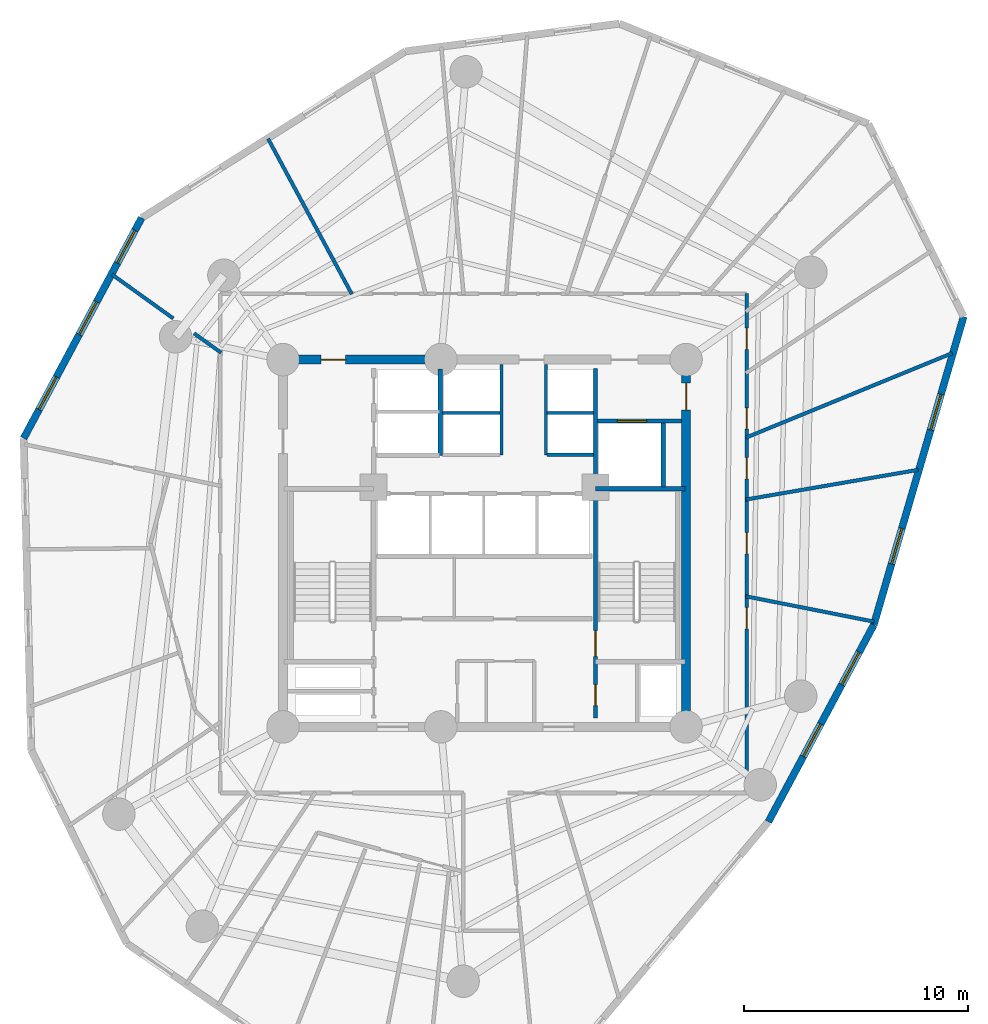
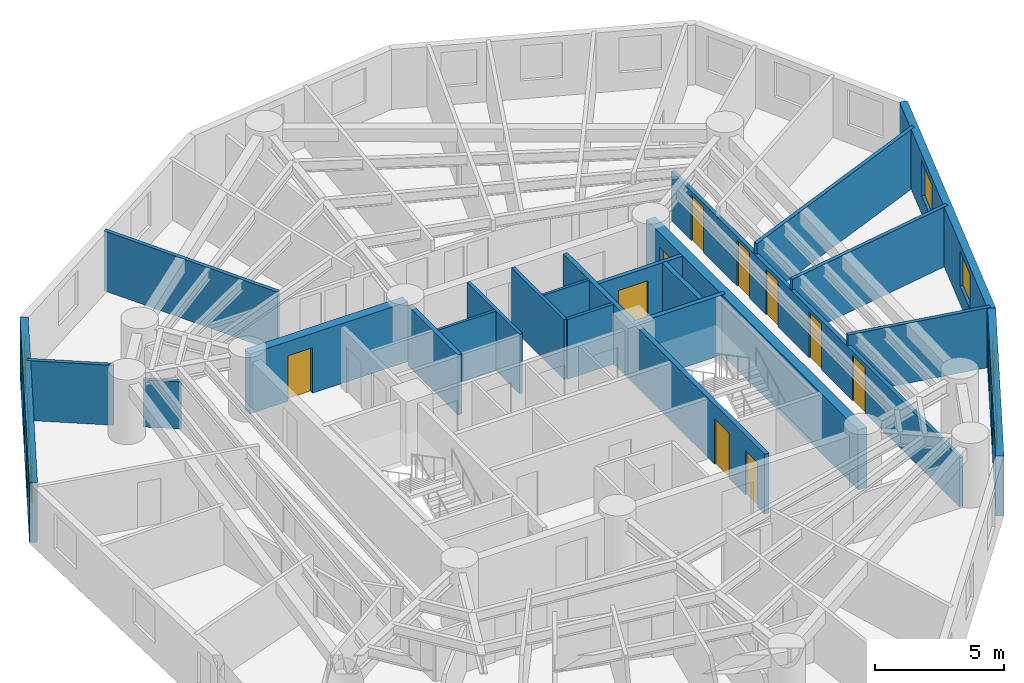
# One storey, part 5 of 8: 22 walls, 10 doors, 7 windows, 17 openings.
"""IFC4 building model written with IfcOpenShell, lengths in metres."""

from ifc_helpers import new_model, si_unit, direction, frame, frame_2d, origin, origin_with_axes, place, context, subcontext, project, spatial, rectangle, extrude, source, transform, mapped, material, layer, layer_set, type_object, element, fill, save


model = new_model("IFC4")

# Units and contexts
model_context = context("Model", 3, precision=1e-05, world=origin(), true_north=direction((0.0, 1.0)))
body_context = subcontext(model_context, "Body", "Model", "MODEL_VIEW")
ifc_project = project(units=[si_unit("LENGTHUNIT", "METRE"), si_unit("AREAUNIT", "SQUARE_METRE"), si_unit("VOLUMEUNIT", "CUBIC_METRE"), si_unit("PLANEANGLEUNIT", "RADIAN"), si_unit("MASSUNIT", "GRAM", prefix="KILO")], contexts=[model_context])

# Site, building, storey
site_placement = place(None, origin())
site = spatial("IfcSite", under=ifc_project, at=site_placement, CompositionType="ELEMENT")
building_placement = place(site_placement, origin())
building = spatial("IfcBuilding", under=site, at=building_placement, Name="Karkom Vertical University and Central Library", CompositionType="ELEMENT")
storey_placement = place(building_placement, frame((0.0, 0.0, 117.550048828125)))
storey = spatial("IfcBuildingStorey", under=building, at=storey_placement, Name="L32", CompositionType="ELEMENT", Elevation=117.550048828125)

# Wall, openings, windows
ifc_material_1 = material(Name="Brick-faced precast concrete C45/55", Category="masonry")
ifc_layer_1 = layer(ifc_material_1, 0.320068359375)
ifc_layer_set_1 = layer_set([ifc_layer_1], Name="Brick-faced precast concrete C45/55")
wall_type_1 = type_object("IfcWallType", Name="ENV-WL-BRK-320", PredefinedType="SOLIDWALL", material=ifc_layer_set_1)
wall_1_placement = place(storey_placement, frame((13.1875, 41.02978515625, 0.0), z_axis=(0.0, 0.0, 1.0), x_axis=(-0.471928958931, -0.881636579165, 0.0)))
wall_1 = element("IfcWall", 1, at=wall_1_placement, inside=storey, type_object=wall_type_1, Name="Level 32 Brick-Faced Precast Facade Wall 01", PredefinedType="SOLIDWALL", context=body_context, shape_type="SweptSolid", body=[
    extrude(rectangle(XDim=11.1669921875, YDim=0.320068359375, at=frame_2d((5.58349609375, 0.0))), origin(), (0.0, 0.0, 1.0), 2.824951171875),
])
opening_1_placement = place(wall_1_placement, frame((0.634033203125, 0.0, 0.85009765625)))
opening_1 = element("IfcOpeningElement", 2, at=opening_1_placement, cuts=wall_1, Name="Opening WN-06", PredefinedType="OPENING", context=body_context, shape_type="SweptSolid", body=[
    extrude(rectangle(XDim=1.64990234375, YDim=1.64990234375, at=frame_2d((0.824951171875, 0.824951171875))), frame((0.0, 0.169921875, 0.0), z_axis=(0.0, -1.0, 0.0), x_axis=(1.0, 0.0, 0.0)), (0.0, 0.0, 1.0), 0.340087890625),
])
opening_2_placement = place(wall_1_placement, frame((4.25537109375, 0.0, 0.85009765625)))
opening_2 = element("IfcOpeningElement", 3, at=opening_2_placement, cuts=wall_1, Name="Opening WN-06", PredefinedType="OPENING", context=body_context, shape_type="SweptSolid", body=[
    extrude(rectangle(XDim=1.64990234375, YDim=1.64990234375, at=frame_2d((0.824951171875, 0.824951171875))), frame((0.0, 0.169921875, 0.0), z_axis=(0.0, -1.0, 0.0), x_axis=(1.0, 0.0, 0.0)), (0.0, 0.0, 1.0), 0.340087890625),
])
opening_3_placement = place(wall_1_placement, frame((8.059814453125, 0.0, 0.85009765625)))
opening_3 = element("IfcOpeningElement", 4, at=opening_3_placement, cuts=wall_1, Name="Opening WN-06", PredefinedType="OPENING", context=body_context, shape_type="SweptSolid", body=[
    extrude(rectangle(XDim=1.64990234375, YDim=1.64990234375, at=frame_2d((0.824951171875, 0.824951171875))), frame((0.0, 0.169921875, 0.0), z_axis=(0.0, -1.0, 0.0), x_axis=(1.0, 0.0, 0.0)), (0.0, 0.0, 1.0), 0.340087890625),
])
ifc_material_2 = material(Name="Aluminium thermal-break frame with solar-control IGU", Category="aluminium")
window_type = type_object("IfcWindowType", Name="ENV-WIN-WN-06", PartitioningType="SINGLE_PANEL", PredefinedType="WINDOW", material=ifc_material_2)
shared_shape_1 = source(origin_with_axes(), body_context, "Body", "SweptSolid", [
    extrude(rectangle(XDim=1.64990234375, YDim=1.64990234375, at=frame_2d((0.824951171875, 0.824951171875))), frame((0.0, 0.030029296875, 0.0), z_axis=(0.0, -1.0, 0.0), x_axis=(1.0, 0.0, 0.0)), (0.0, 0.0, 1.0), 0.06005859375),
])
window_1_placement = place(opening_1_placement, origin())
window_1 = element("IfcWindow", 5, at=window_1_placement, inside=storey, type_object=window_type, Name="Level 32 Punched Window 1.1", OverallHeight=1.64990234375, OverallWidth=1.64990234375, PartitioningType="SINGLE_PANEL", PredefinedType="WINDOW", context=body_context, shape_type="MappedRepresentation", body=[
    mapped(shared_shape_1, transform((0.0, 0.0, 0.0), scale=1.0)),
])
fill(opening_1, window_1)
window_2_placement = place(opening_2_placement, origin())
window_2 = element("IfcWindow", 6, at=window_2_placement, inside=storey, type_object=window_type, Name="Level 32 Punched Window 1.2", OverallHeight=1.64990234375, OverallWidth=1.64990234375, PartitioningType="SINGLE_PANEL", PredefinedType="WINDOW", context=body_context, shape_type="MappedRepresentation", body=[
    mapped(shared_shape_1, transform((0.0, 0.0, 0.0), scale=1.0)),
])
fill(opening_2, window_2)
window_3_placement = place(opening_3_placement, origin())
window_3 = element("IfcWindow", 7, at=window_3_placement, inside=storey, type_object=window_type, Name="Level 32 Punched Window 1.3", OverallHeight=1.64990234375, OverallWidth=1.64990234375, PartitioningType="SINGLE_PANEL", PredefinedType="WINDOW", context=body_context, shape_type="MappedRepresentation", body=[
    mapped(shared_shape_1, transform((0.0, 0.0, 0.0), scale=1.0)),
])
fill(opening_3, window_3)

wall_2_placement = place(storey_placement, frame((41.175048828125, 14.060791015625, 0.0), z_axis=(0.0, 0.0, 1.0), x_axis=(0.471938707329, 0.881631360902, 0.0)))
wall_2 = element("IfcWall", 8, at=wall_2_placement, inside=storey, type_object=wall_type_1, Name="Level 32 Brick-Faced Precast Facade Wall 07", PredefinedType="SOLIDWALL", context=body_context, shape_type="SweptSolid", body=[
    extrude(rectangle(XDim=9.97021484375, YDim=0.320068359375, at=frame_2d((4.985107421875, 0.0))), origin(), (0.0, 0.0, 1.0), 2.824951171875),
])
opening_4_placement = place(wall_2_placement, frame((3.30908203125, 0.0, 0.85009765625)))
opening_4 = element("IfcOpeningElement", 9, at=opening_4_placement, cuts=wall_2, Name="Opening WN-06", PredefinedType="OPENING", context=body_context, shape_type="SweptSolid", body=[
    extrude(rectangle(XDim=1.64990234375, YDim=1.64990234375, at=frame_2d((0.824951171875, 0.824951171875))), frame((0.0, 0.169921875, 0.0), z_axis=(0.0, -1.0, 0.0), x_axis=(1.0, 0.0, 0.0)), (0.0, 0.0, 1.0), 0.340087890625),
])
opening_5_placement = place(wall_2_placement, frame((6.946533203125, 0.0, 0.85009765625)))
opening_5 = element("IfcOpeningElement", 10, at=opening_5_placement, cuts=wall_2, Name="Opening WN-06", PredefinedType="OPENING", context=body_context, shape_type="SweptSolid", body=[
    extrude(rectangle(XDim=1.64990234375, YDim=1.64990234375, at=frame_2d((0.824951171875, 0.824951171875))), frame((0.0, 0.169921875, 0.0), z_axis=(0.0, -1.0, 0.0), x_axis=(1.0, 0.0, 0.0)), (0.0, 0.0, 1.0), 0.340087890625),
])
window_4_placement = place(opening_4_placement, origin())
window_4 = element("IfcWindow", 11, at=window_4_placement, inside=storey, type_object=window_type, Name="Level 32 Punched Window 7.1", OverallHeight=1.64990234375, OverallWidth=1.64990234375, PartitioningType="SINGLE_PANEL", PredefinedType="WINDOW", context=body_context, shape_type="MappedRepresentation", body=[
    mapped(shared_shape_1, transform((0.0, 0.0, 0.0), scale=1.0)),
])
fill(opening_4, window_4)
window_5_placement = place(opening_5_placement, origin())
window_5 = element("IfcWindow", 12, at=window_5_placement, inside=storey, type_object=window_type, Name="Level 32 Punched Window 7.2", OverallHeight=1.64990234375, OverallWidth=1.64990234375, PartitioningType="SINGLE_PANEL", PredefinedType="WINDOW", context=body_context, shape_type="MappedRepresentation", body=[
    mapped(shared_shape_1, transform((0.0, 0.0, 0.0), scale=1.0)),
])
fill(opening_5, window_5)

wall_3_placement = place(storey_placement, frame((45.88037109375, 22.850830078125, 0.0), z_axis=(0.0, 0.0, 1.0), x_axis=(0.279941825512, 0.960016965647, 0.0)))
wall_3 = element("IfcWall", 13, at=wall_3_placement, inside=storey, type_object=wall_type_1, Name="Level 32 Brick-Faced Precast Facade Wall 08", PredefinedType="SOLIDWALL", context=body_context, shape_type="SweptSolid", body=[
    extrude(rectangle(XDim=14.3427734375, YDim=0.320068359375, at=frame_2d((7.17138671875, 0.0))), origin(), (0.0, 0.0, 1.0), 2.824951171875),
])
opening_6_placement = place(wall_3_placement, frame((2.842529296875, 0.0, 0.85009765625)))
opening_6 = element("IfcOpeningElement", 14, at=opening_6_placement, cuts=wall_3, Name="Opening WN-06", PredefinedType="OPENING", context=body_context, shape_type="SweptSolid", body=[
    extrude(rectangle(XDim=1.64990234375, YDim=1.64990234375, at=frame_2d((0.824951171875, 0.824951171875))), frame((0.0, 0.169921875, 0.0), z_axis=(0.0, -1.0, 0.0), x_axis=(1.0, 0.0, 0.0)), (0.0, 0.0, 1.0), 0.340087890625),
])
opening_7_placement = place(wall_3_placement, frame((9.075927734375, 0.0, 0.85009765625)))
opening_7 = element("IfcOpeningElement", 15, at=opening_7_placement, cuts=wall_3, Name="Opening WN-06", PredefinedType="OPENING", context=body_context, shape_type="SweptSolid", body=[
    extrude(rectangle(XDim=1.64990234375, YDim=1.64990234375, at=frame_2d((0.824951171875, 0.824951171875))), frame((0.0, 0.169921875, 0.0), z_axis=(0.0, -1.0, 0.0), x_axis=(1.0, 0.0, 0.0)), (0.0, 0.0, 1.0), 0.340087890625),
])
window_6_placement = place(opening_6_placement, origin())
window_6 = element("IfcWindow", 16, at=window_6_placement, inside=storey, type_object=window_type, Name="Level 32 Punched Window 8.1", OverallHeight=1.64990234375, OverallWidth=1.64990234375, PartitioningType="SINGLE_PANEL", PredefinedType="WINDOW", context=body_context, shape_type="MappedRepresentation", body=[
    mapped(shared_shape_1, transform((0.0, 0.0, 0.0), scale=1.0)),
])
fill(opening_6, window_6)
window_7_placement = place(opening_7_placement, origin())
window_7 = element("IfcWindow", 17, at=window_7_placement, inside=storey, type_object=window_type, Name="Level 32 Punched Window 8.2", OverallHeight=1.64990234375, OverallWidth=1.64990234375, PartitioningType="SINGLE_PANEL", PredefinedType="WINDOW", context=body_context, shape_type="MappedRepresentation", body=[
    mapped(shared_shape_1, transform((0.0, 0.0, 0.0), scale=1.0)),
])
fill(opening_7, window_7)

# Wall, openings, doors
ifc_material_3 = material(Name="Insulated metal-stud drywall 160mm", Category="gypsum")
ifc_layer_2 = layer(ifc_material_3, 0.159912109375)
ifc_layer_set_2 = layer_set([ifc_layer_2], Name="Insulated metal-stud drywall 160mm")
wall_type_2 = type_object("IfcWallType", Name="INT-WL-COR-160", PredefinedType="PARTITIONING", material=ifc_layer_set_2)
wall_4_placement = place(storey_placement, frame((40.199951171875, 37.64990234375, 0.0), z_axis=(0.0, 0.0, 1.0), x_axis=(0.0, -1.0, 0.0)))
wall_4 = element("IfcWall", 18, at=wall_4_placement, inside=storey, type_object=wall_type_2, Name="Level 32 Interior Partition Wall L32-CORW-CW-004", PredefinedType="PARTITIONING", context=body_context, shape_type="SweptSolid", body=[
    extrude(rectangle(XDim=22.2998046875, YDim=0.159912109375, at=frame_2d((11.14990234375, 0.0))), origin(), (0.0, 0.0, 1.0), 2.324951171875),
])
opening_8_placement = place(wall_4_placement, frame((14.02001953125, 0.0, 0.0)))
opening_8 = element("IfcOpeningElement", 19, at=opening_8_placement, cuts=wall_4, Name="Opening D-RM1", PredefinedType="OPENING", context=body_context, shape_type="SweptSolid", body=[
    extrude(rectangle(XDim=0.949951171875, YDim=2.14990234375, at=frame_2d((0.47509765625, 1.074951171875))), frame((0.0, 0.08984375, 0.0), z_axis=(0.0, -1.0, 0.0), x_axis=(1.0, 0.0, 0.0)), (0.0, 0.0, 1.0), 0.179931640625),
])
opening_9_placement = place(wall_4_placement, frame((10.675048828125, 0.0, 0.0)))
opening_9 = element("IfcOpeningElement", 20, at=opening_9_placement, cuts=wall_4, Name="Opening D-RM1", PredefinedType="OPENING", context=body_context, shape_type="SweptSolid", body=[
    extrude(rectangle(XDim=0.949951171875, YDim=2.14990234375, at=frame_2d((0.47509765625, 1.074951171875))), frame((0.0, 0.08984375, 0.0), z_axis=(0.0, -1.0, 0.0), x_axis=(1.0, 0.0, 0.0)), (0.0, 0.0, 1.0), 0.179931640625),
])
opening_10_placement = place(wall_4_placement, frame((7.330078125, 0.0, 0.0)))
opening_10 = element("IfcOpeningElement", 21, at=opening_10_placement, cuts=wall_4, Name="Opening D-RM1", PredefinedType="OPENING", context=body_context, shape_type="SweptSolid", body=[
    extrude(rectangle(XDim=0.949951171875, YDim=2.14990234375, at=frame_2d((0.47509765625, 1.074951171875))), frame((0.0, 0.08984375, 0.0), z_axis=(0.0, -1.0, 0.0), x_axis=(1.0, 0.0, 0.0)), (0.0, 0.0, 1.0), 0.179931640625),
])
opening_11_placement = place(wall_4_placement, frame((5.10009765625, 0.0, 0.0)))
opening_11 = element("IfcOpeningElement", 22, at=opening_11_placement, cuts=wall_4, Name="Opening D-RM1", PredefinedType="OPENING", context=body_context, shape_type="SweptSolid", body=[
    extrude(rectangle(XDim=0.949951171875, YDim=2.14990234375, at=frame_2d((0.47509765625, 1.074951171875))), frame((0.0, 0.08984375, 0.0), z_axis=(0.0, -1.0, 0.0), x_axis=(1.0, 0.0, 0.0)), (0.0, 0.0, 1.0), 0.179931640625),
])
opening_12_placement = place(wall_4_placement, frame((1.548095703125, 0.0, 0.0)))
opening_12 = element("IfcOpeningElement", 23, at=opening_12_placement, cuts=wall_4, Name="Opening D-RM1", PredefinedType="OPENING", context=body_context, shape_type="SweptSolid", body=[
    extrude(rectangle(XDim=0.949951171875, YDim=2.14990234375, at=frame_2d((0.47509765625, 1.074951171875))), frame((0.0, 0.08984375, 0.0), z_axis=(0.0, -1.0, 0.0), x_axis=(1.0, 0.0, 0.0)), (0.0, 0.0, 1.0), 0.179931640625),
])
ifc_material_4 = material(Name="Solid-core oak veneer door", Category="wood")
door_type_1 = type_object("IfcDoorType", Name="INT-DR-RM1", OperationType="NOTDEFINED", PredefinedType="DOOR", material=ifc_material_4)
shared_shape_2 = source(origin_with_axes(), body_context, "Body", "SweptSolid", [
    extrude(rectangle(XDim=0.949951171875, YDim=2.14990234375, at=frame_2d((0.47509765625, 1.074951171875))), frame((0.0, 0.02490234375, 0.0), z_axis=(0.0, -1.0, 0.0), x_axis=(1.0, 0.0, 0.0)), (0.0, 0.0, 1.0), 0.050048828125),
])
door_1_placement = place(opening_8_placement, origin())
door_1 = element("IfcDoor", 24, at=door_1_placement, inside=storey, type_object=door_type_1, Name="Level 32 Room Entry Door 120", OperationType="SINGLE_SWING_RIGHT", OverallHeight=2.14990234375, OverallWidth=0.949951171875, PredefinedType="DOOR", context=body_context, shape_type="MappedRepresentation", body=[
    mapped(shared_shape_2, transform((0.0, 0.0, 0.0), scale=1.0)),
])
fill(opening_8, door_1)
door_2_placement = place(opening_9_placement, origin())
door_2 = element("IfcDoor", 25, at=door_2_placement, inside=storey, type_object=door_type_1, Name="Level 32 Room Entry Door 130", OperationType="SINGLE_SWING_LEFT", OverallHeight=2.14990234375, OverallWidth=0.949951171875, PredefinedType="DOOR", context=body_context, shape_type="MappedRepresentation", body=[
    mapped(shared_shape_2, transform((0.0, 0.0, 0.0), scale=1.0)),
])
fill(opening_9, door_2)
door_3_placement = place(opening_10_placement, origin())
door_3 = element("IfcDoor", 26, at=door_3_placement, inside=storey, type_object=door_type_1, Name="Level 32 Room Entry Door 140", OperationType="SINGLE_SWING_RIGHT", OverallHeight=2.14990234375, OverallWidth=0.949951171875, PredefinedType="DOOR", context=body_context, shape_type="MappedRepresentation", body=[
    mapped(shared_shape_2, transform((0.0, 0.0, 0.0), scale=1.0)),
])
fill(opening_10, door_3)
door_4_placement = place(opening_11_placement, origin())
door_4 = element("IfcDoor", 27, at=door_4_placement, inside=storey, type_object=door_type_1, Name="Level 32 Room Entry Door 150", OperationType="SINGLE_SWING_LEFT", OverallHeight=2.14990234375, OverallWidth=0.949951171875, PredefinedType="DOOR", context=body_context, shape_type="MappedRepresentation", body=[
    mapped(shared_shape_2, transform((0.0, 0.0, 0.0), scale=1.0)),
])
fill(opening_11, door_4)
door_5_placement = place(opening_12_placement, origin())
door_5 = element("IfcDoor", 28, at=door_5_placement, inside=storey, type_object=door_type_1, Name="Level 32 Room Entry Door 160", OperationType="SINGLE_SWING_RIGHT", OverallHeight=2.14990234375, OverallWidth=0.949951171875, PredefinedType="DOOR", context=body_context, shape_type="MappedRepresentation", body=[
    mapped(shared_shape_2, transform((0.0, 0.0, 0.0), scale=1.0)),
])
fill(opening_12, door_5)

# Walls
wall_5_placement = place(storey_placement, frame((40.172119140625, 31.216552734375, 0.0), z_axis=(0.0, 0.0, 1.0), x_axis=(0.925368222218, 0.379069457103, 0.0)))
element("IfcWall", 29, at=wall_5_placement, inside=storey, type_object=wall_type_2, Name="Level 32 Interior Partition Wall L32-PW-023", PredefinedType="PARTITIONING", context=body_context, shape_type="SweptSolid", body=[
    extrude(rectangle(XDim=9.94921875, YDim=0.159912109375, at=frame_2d((4.974609375, 0.0))), origin(), (0.0, 0.0, 1.0), 2.824951171875),
])
wall_6_placement = place(storey_placement, frame((22.57421875, 37.62353515625, 0.0), z_axis=(0.0, 0.0, 1.0), x_axis=(-0.474347188847, 0.880337858116, 0.0)))
element("IfcWall", 30, at=wall_6_placement, inside=storey, type_object=wall_type_2, Name="Level 32 Interior Partition Wall L32-PW-034", PredefinedType="PARTITIONING", context=body_context, shape_type="SweptSolid", body=[
    extrude(rectangle(XDim=7.885986328125, YDim=0.159912109375, at=frame_2d((3.94287109375, 0.0))), origin(), (0.0, 0.0, 1.0), 2.824951171875),
])
wall_7_placement = place(storey_placement, frame((40.17041015625, 28.45166015625, 0.0), z_axis=(0.0, 0.0, 1.0), x_axis=(0.985455062454, 0.169936222987, 0.0)))
element("IfcWall", 31, at=wall_7_placement, inside=storey, type_object=wall_type_2, Name="Level 32 Interior Partition Wall L32-PW-022", PredefinedType="PARTITIONING", context=body_context, shape_type="SweptSolid", body=[
    extrude(rectangle(XDim=7.81103515625, YDim=0.159912109375, at=frame_2d((3.905517578125, 0.0))), origin(), (0.0, 0.0, 1.0), 2.824951171875),
])
wall_8_placement = place(storey_placement, frame((40.170654296875, 24.130615234375, 0.0), z_axis=(0.0, 0.0, 1.0), x_axis=(0.980996692058, -0.194024457662, 0.0)))
element("IfcWall", 32, at=wall_8_placement, inside=storey, type_object=wall_type_2, Name="Level 32 Interior Partition Wall L32-PW-021", PredefinedType="PARTITIONING", context=body_context, shape_type="SweptSolid", body=[
    extrude(rectangle(XDim=5.837158203125, YDim=0.159912109375, at=frame_2d((2.91845703125, 0.0))), origin(), (0.0, 0.0, 1.0), 2.824951171875),
])
wall_9_placement = place(storey_placement, frame((14.60107421875, 36.5390625, 0.0), z_axis=(0.0, 0.0, 1.0), x_axis=(-0.812679267744, 0.582711255923, 0.0)))
element("IfcWall", 33, at=wall_9_placement, inside=storey, type_object=wall_type_2, Name="Level 32 Interior Partition Wall L32-PW-036", PredefinedType="PARTITIONING", context=body_context, shape_type="SweptSolid", body=[
    extrude(rectangle(XDim=3.36865234375, YDim=0.159912109375, at=frame_2d((1.684326171875, 0.0))), origin(), (0.0, 0.0, 1.0), 2.824951171875),
])
wall_10_placement = place(storey_placement, frame((16.736572265625, 35.008056640625, 0.0), z_axis=(0.0, 0.0, 1.0), x_axis=(-0.812690241853, 0.582695950558, 0.0)))
element("IfcWall", 34, at=wall_10_placement, inside=storey, type_object=wall_type_2, Name="Level 32 Interior Partition Wall L32-PW-035", PredefinedType="PARTITIONING", context=body_context, shape_type="SweptSolid", body=[
    extrude(rectangle(XDim=1.48828125, YDim=0.159912109375, at=frame_2d((0.744140625, 0.0))), origin(), (0.0, 0.0, 1.0), 2.224853515625),
])
ifc_material_5 = material(Name="Moisture-resistant drywall 120mm", Category="gypsum")
ifc_layer_3 = layer(ifc_material_5, 0.1201171875)
ifc_layer_set_3 = layer_set([ifc_layer_3], Name="Moisture-resistant drywall 120mm")
wall_type_3 = type_object("IfcWallType", Name="INT-WL-INT-120H", PredefinedType="PARTITIONING", material=ifc_layer_set_3)
wall_11_placement = place(storey_placement, frame((26.6201171875, 32.320068359375, 0.0), z_axis=(0.0, 0.0, 1.0), x_axis=(1.0, 0.0, 0.0)))
element("IfcWall", 35, at=wall_11_placement, inside=storey, type_object=wall_type_3, Name="Level 32 Interior Partition Wall L32-CW-PH-MW", PredefinedType="PARTITIONING", context=body_context, shape_type="SweptSolid", body=[
    extrude(rectangle(XDim=2.579833984375, YDim=0.1201171875, at=frame_2d((1.2900390625, 0.0))), origin(), (0.0, 0.0, 1.0), 2.824951171875),
])
wall_12_placement = place(storey_placement, frame((31.300048828125, 32.320068359375, 0.0), z_axis=(0.0, 0.0, 1.0), x_axis=(1.0, 0.0, 0.0)))
element("IfcWall", 36, at=wall_12_placement, inside=storey, type_object=wall_type_3, Name="Level 32 Interior Partition Wall L32-CW-PH-ME", PredefinedType="PARTITIONING", context=body_context, shape_type="SweptSolid", body=[
    extrude(rectangle(XDim=2.074951171875, YDim=0.1201171875, at=frame_2d((1.03759765625, 0.0))), origin(), (0.0, 0.0, 1.0), 2.824951171875),
])
ifc_material_6 = material(Name="Metal-stud gypsum partition 140mm", Category="gypsum")
ifc_layer_4 = layer(ifc_material_6, 0.139892578125)
ifc_layer_set_4 = layer_set([ifc_layer_4], Name="Metal-stud gypsum partition 140mm")
wall_type_4 = type_object("IfcWallType", Name="INT-WL-SUB-140H", PredefinedType="PARTITIONING", material=ifc_layer_set_4)
for number, where, z_axis, x_axis, name in (
    (37, (29.260009765625, 30.449951171875, 0.0), (0.0, 0.0, 1.0), (0.0, 1.0, 0.0), "Level 32 Interior Partition Wall L32-CW-PH-W"),
    (38, (31.239990234375, 30.449951171875, 0.0), (0.0, 0.0, 1.0), (0.0, 1.0, 0.0), "Level 32 Interior Partition Wall L32-CW-PH-E"),
):
    element("IfcWall", number, at=place(storey_placement, frame(where, z_axis=z_axis, x_axis=x_axis)), inside=storey, type_object=wall_type_4, Name=name, PredefinedType="PARTITIONING", context=body_context, shape_type="SweptSolid", body=[
        extrude(rectangle(XDim=4.04296875, YDim=0.139892578125, at=frame_2d((2.021484375, 0.0))), origin(), (0.0, 0.0, 1.0), 2.824951171875),
    ])
wall_13_placement = place(storey_placement, frame((31.300048828125, 30.449951171875, 0.0), z_axis=(0.0, 0.0, 1.0), x_axis=(1.0, 0.0, 0.0)))
element("IfcWall", 39, at=wall_13_placement, inside=storey, type_object=wall_type_4, Name="Level 32 Interior Partition Wall L32-CW-PH-S2", PredefinedType="PARTITIONING", context=body_context, shape_type="SweptSolid", body=[
    extrude(rectangle(XDim=2.074951171875, YDim=0.139892578125, at=frame_2d((1.03759765625, 0.0))), origin(), (0.0, 0.0, 1.0), 2.824951171875),
])

# Wall, opening, door
ifc_material_7 = material(Name="Twin-stud acoustic drywall 180mm", Category="gypsum")
ifc_layer_5 = layer(ifc_material_7, 0.179931640625)
ifc_layer_set_5 = layer_set([ifc_layer_5], Name="Twin-stud acoustic drywall 180mm")
wall_type_5 = type_object("IfcWallType", Name="INT-WL-TEN-180F", PredefinedType="PARTITIONING", material=ifc_layer_set_5)
wall_14_placement = place(storey_placement, frame((33.534912109375, 31.949951171875, 0.0), z_axis=(0.0, 0.0, 1.0), x_axis=(1.0, 0.0, 0.0)))
wall_14 = element("IfcWall", 40, at=wall_14_placement, inside=storey, type_object=wall_type_5, Name="Level 32 Interior Partition Wall L32-CW-SVL-N", PredefinedType="PARTITIONING", context=body_context, shape_type="SweptSolid", body=[
    extrude(rectangle(XDim=3.7587890625, YDim=0.179931640625, at=frame_2d((1.87939453125, 0.0))), origin(), (0.0, 0.0, 1.0), 2.824951171875),
])
opening_13_placement = place(wall_14_placement, frame((0.89990234375, 0.0, 0.0)))
opening_13 = element("IfcOpeningElement", 41, at=opening_13_placement, cuts=wall_14, Name="Opening LD-SV1", PredefinedType="OPENING", context=body_context, shape_type="SweptSolid", body=[
    extrude(rectangle(XDim=1.300048828125, YDim=2.199951171875, at=frame_2d((0.64990234375, 1.10009765625))), frame((0.0, 0.10009765625, 0.0), z_axis=(0.0, -1.0, 0.0), x_axis=(1.0, 0.0, 0.0)), (0.0, 0.0, 1.0), 0.199951171875),
])
ifc_material_8 = material(Name="Brushed stainless-steel landing door", Category="steel")
door_type_2 = type_object("IfcDoorType", Name="INT-DR-LD-SV1", OperationType="SLIDING_TO_LEFT", PredefinedType="DOOR", material=ifc_material_8)
shared_shape_3 = source(origin_with_axes(), body_context, "Body", "SweptSolid", [
    extrude(rectangle(XDim=1.300048828125, YDim=2.199951171875, at=frame_2d((0.64990234375, 1.10009765625))), frame((0.0, 0.02490234375, 0.0), z_axis=(0.0, -1.0, 0.0), x_axis=(1.0, 0.0, 0.0)), (0.0, 0.0, 1.0), 0.050048828125),
])
door_6_placement = place(opening_13_placement, origin())
door_6 = element("IfcDoor", 42, at=door_6_placement, inside=storey, type_object=door_type_2, Name="Level 32 Service Lift Landing Door LD-SV1", OperationType="SLIDING_TO_LEFT", OverallHeight=2.199951171875, OverallWidth=1.300048828125, PredefinedType="DOOR", context=body_context, shape_type="MappedRepresentation", body=[
    mapped(shared_shape_3, transform((0.0, 0.0, 0.0), scale=1.0)),
])
fill(opening_13, door_6)

ifc_material_9 = material(Name="Concrete C50/60", Category="concrete")
ifc_layer_6 = layer(ifc_material_9, 0.39990234375)
ifc_layer_set_6 = layer_set([ifc_layer_6], Name="Concrete C50/60")
wall_type_6 = type_object("IfcWallType", Name="STR-WL-CW-400", PredefinedType="SHEAR", material=ifc_layer_set_6)
wall_15_placement = place(storey_placement, frame((37.5, 18.300048828125, 0.0), z_axis=(0.0, 0.0, 1.0), x_axis=(0.0, 1.0, 0.0)))
wall_15 = element("IfcWall", 43, at=wall_15_placement, inside=storey, type_object=wall_type_6, Name="Level 32 Central Core Shear Wall EW", PredefinedType="SHEAR", context=body_context, shape_type="SweptSolid", body=[
    extrude(rectangle(XDim=16.39990234375, YDim=0.39990234375, at=frame_2d((8.199951171875, 0.0))), origin(), (0.0, 0.0, 1.0), 2.824951171875),
])
opening_14_placement = place(wall_15_placement, frame((14.14990234375, 0.0, 0.0)))
opening_14 = element("IfcOpeningElement", 44, at=opening_14_placement, cuts=wall_15, Name="Opening FD-SUB1", PredefinedType="OPENING", context=body_context, shape_type="SweptSolid", body=[
    extrude(rectangle(XDim=1.199951171875, YDim=2.14990234375, at=frame_2d((0.60009765625, 1.074951171875))), frame((0.0, 0.2099609375, 0.0), z_axis=(0.0, -1.0, 0.0), x_axis=(1.0, 0.0, 0.0)), (0.0, 0.0, 1.0), 0.419921875),
])
ifc_material_10 = material(Name="Painted steel fire door", Category="steel")
door_type_3 = type_object("IfcDoorType", Name="INT-DR-SUB1", OperationType="NOTDEFINED", PredefinedType="DOOR", material=ifc_material_10)
shared_shape_4 = source(origin_with_axes(), body_context, "Body", "SweptSolid", [
    extrude(rectangle(XDim=1.199951171875, YDim=2.14990234375, at=frame_2d((0.60009765625, 1.074951171875))), frame((0.0, 0.02490234375, 0.0), z_axis=(0.0, -1.0, 0.0), x_axis=(1.0, 0.0, 0.0)), (0.0, 0.0, 1.0), 0.050048828125),
])
door_7_placement = place(opening_14_placement, origin())
door_7 = element("IfcDoor", 45, at=door_7_placement, inside=storey, type_object=door_type_3, Name="Level 32 East Corridor Service Lobby Door", OperationType="SINGLE_SWING_LEFT", OverallHeight=2.14990234375, OverallWidth=1.199951171875, PredefinedType="DOOR", context=body_context, shape_type="MappedRepresentation", body=[
    mapped(shared_shape_4, transform((0.0, 0.0, 0.0), scale=1.0)),
])
fill(opening_14, door_7)

wall_16_placement = place(storey_placement, frame((26.550048828125, 34.699951171875, 0.0), z_axis=(0.0, 0.0, 1.0), x_axis=(-1.0, 0.0, 0.0)))
wall_16 = element("IfcWall", 46, at=wall_16_placement, inside=storey, type_object=wall_type_6, Name="Level 32 Central Core Shear Wall NW2", PredefinedType="SHEAR", context=body_context, shape_type="SweptSolid", body=[
    extrude(rectangle(XDim=7.050048828125, YDim=0.39990234375, at=frame_2d((3.52490234375, 0.0))), origin(), (0.0, 0.0, 1.0), 2.824951171875),
])
opening_15_placement = place(wall_16_placement, frame((4.25, 0.0, 0.0)))
opening_15 = element("IfcOpeningElement", 47, at=opening_15_placement, cuts=wall_16, Name="Opening FD-FFL", PredefinedType="OPENING", context=body_context, shape_type="SweptSolid", body=[
    extrude(rectangle(XDim=1.10009765625, YDim=2.14990234375, at=frame_2d((0.550048828125, 1.074951171875))), frame((0.0, 0.2099609375, 0.0), z_axis=(0.0, -1.0, 0.0), x_axis=(1.0, 0.0, 0.0)), (0.0, 0.0, 1.0), 0.419921875),
])
ifc_material_11 = material(Name="Painted steel smoke-seal fire door", Category="steel")
door_type_4 = type_object("IfcDoorType", Name="INT-DR-FFL", OperationType="NOTDEFINED", PredefinedType="DOOR", material=ifc_material_11)
shared_shape_5 = source(origin_with_axes(), body_context, "Body", "SweptSolid", [
    extrude(rectangle(XDim=1.10009765625, YDim=2.14990234375, at=frame_2d((0.550048828125, 1.074951171875))), frame((0.0, 0.02490234375, 0.0), z_axis=(0.0, -1.0, 0.0), x_axis=(1.0, 0.0, 0.0)), (0.0, 0.0, 1.0), 0.050048828125),
])
door_8_placement = place(opening_15_placement, origin())
door_8 = element("IfcDoor", 48, at=door_8_placement, inside=storey, type_object=door_type_4, Name="Level 32 Firefighting Lobby Door", OperationType="SINGLE_SWING_LEFT", OverallHeight=2.14990234375, OverallWidth=1.10009765625, PredefinedType="DOOR", context=body_context, shape_type="MappedRepresentation", body=[
    mapped(shared_shape_5, transform((0.0, 0.0, 0.0), scale=1.0)),
])
fill(opening_15, door_8)

# Wall, openings, doors
ifc_material_12 = material(Name="Concrete C45/55", Category="concrete")
ifc_layer_7 = layer(ifc_material_12, 0.199951171875)
ifc_layer_set_7 = layer_set([ifc_layer_7], Name="Concrete C45/55")
wall_type_7 = type_object("IfcWallType", Name="STR-WL-ST-200", PredefinedType="SHEAR", material=ifc_layer_set_7)
wall_17_placement = place(storey_placement, frame((33.455078125, 18.699951171875, 0.0), z_axis=(0.0, 0.0, 1.0), x_axis=(0.0, 1.0, 0.0)))
wall_17 = element("IfcWall", 49, at=wall_17_placement, inside=storey, type_object=wall_type_7, Name="Level 32 Core Shaft Wall L32-CW-ST2-W", PredefinedType="SHEAR", context=body_context, shape_type="SweptSolid", body=[
    extrude(rectangle(XDim=15.60009765625, YDim=0.199951171875, at=frame_2d((7.800048828125, 0.0))), origin(), (0.0, 0.0, 1.0), 2.824951171875),
])
opening_16_placement = place(wall_17_placement, frame((2.75, 0.0, 0.0)))
opening_16 = element("IfcOpeningElement", 50, at=opening_16_placement, cuts=wall_17, Name="Opening FD-ST1", PredefinedType="OPENING", context=body_context, shape_type="SweptSolid", body=[
    extrude(rectangle(XDim=1.14990234375, YDim=2.14990234375, at=frame_2d((0.574951171875, 1.074951171875))), frame((0.0, 0.10986328125, 0.0), z_axis=(0.0, -1.0, 0.0), x_axis=(1.0, 0.0, 0.0)), (0.0, 0.0, 1.0), 0.219970703125),
])
opening_17_placement = place(wall_17_placement, frame((0.550048828125, 0.0, 0.0)))
opening_17 = element("IfcOpeningElement", 51, at=opening_17_placement, cuts=wall_17, Name="Opening D-WC1", PredefinedType="OPENING", context=body_context, shape_type="SweptSolid", body=[
    extrude(rectangle(XDim=0.93994140625, YDim=2.10009765625, at=frame_2d((0.469970703125, 1.050048828125))), frame((0.0, 0.10986328125, 0.0), z_axis=(0.0, -1.0, 0.0), x_axis=(1.0, 0.0, 0.0)), (0.0, 0.0, 1.0), 0.219970703125),
])
ifc_material_13 = material(Name="Painted steel acoustic fire door", Category="steel")
door_type_5 = type_object("IfcDoorType", Name="INT-DR-ST1", OperationType="NOTDEFINED", PredefinedType="DOOR", material=ifc_material_13)
shared_shape_6 = source(origin_with_axes(), body_context, "Body", "SweptSolid", [
    extrude(rectangle(XDim=1.14990234375, YDim=2.14990234375, at=frame_2d((0.574951171875, 1.074951171875))), frame((0.0, 0.02490234375, 0.0), z_axis=(0.0, -1.0, 0.0), x_axis=(1.0, 0.0, 0.0)), (0.0, 0.0, 1.0), 0.050048828125),
])
door_9_placement = place(opening_16_placement, origin())
door_9 = element("IfcDoor", 52, at=door_9_placement, inside=storey, type_object=door_type_5, Name="Level 32 Stair ST-2 Fire Door", OperationType="SINGLE_SWING_RIGHT", OverallHeight=2.14990234375, OverallWidth=1.14990234375, PredefinedType="DOOR", context=body_context, shape_type="MappedRepresentation", body=[
    mapped(shared_shape_6, transform((0.0, 0.0, 0.0), scale=1.0)),
])
fill(opening_16, door_9)
ifc_material_14 = material(Name="Fire-rated laminate moisture-resistant door", Category="wood")
door_type_6 = type_object("IfcDoorType", Name="INT-DR-WC1", OperationType="NOTDEFINED", PredefinedType="DOOR", material=ifc_material_14)
shared_shape_7 = source(origin_with_axes(), body_context, "Body", "SweptSolid", [
    extrude(rectangle(XDim=0.93994140625, YDim=2.10009765625, at=frame_2d((0.469970703125, 1.050048828125))), frame((0.0, 0.02490234375, 0.0), z_axis=(0.0, -1.0, 0.0), x_axis=(1.0, 0.0, 0.0)), (0.0, 0.0, 1.0), 0.050048828125),
])
door_10_placement = place(opening_17_placement, origin())
door_10 = element("IfcDoor", 53, at=door_10_placement, inside=storey, type_object=door_type_6, Name="Level 32 Accessible WC Door", OperationType="SINGLE_SWING_LEFT", OverallHeight=2.10009765625, OverallWidth=0.93994140625, PredefinedType="DOOR", context=body_context, shape_type="MappedRepresentation", body=[
    mapped(shared_shape_7, transform((0.0, 0.0, 0.0), scale=1.0)),
])
fill(opening_17, door_10)

# Walls
wall_18_placement = place(storey_placement, frame((33.455078125, 28.925048828125, 0.0), z_axis=(0.0, 0.0, 1.0), x_axis=(1.0, 0.0, 0.0)))
element("IfcWall", 54, at=wall_18_placement, inside=storey, type_object=wall_type_7, Name="Level 32 Core Shaft Wall L32-CW-ST2-N", PredefinedType="SHEAR", context=body_context, shape_type="SweptSolid", body=[
    extrude(rectangle(XDim=3.994873046875, YDim=0.199951171875, at=frame_2d((1.99755859375, 0.0))), origin(), (0.0, 0.0, 1.0), 2.824951171875),
])
wall_19_placement = place(storey_placement, frame((26.52001953125, 30.419921875, 0.0), z_axis=(0.0, 0.0, 1.0), x_axis=(0.0, 1.0, 0.0)))
element("IfcWall", 55, at=wall_19_placement, inside=storey, type_object=wall_type_7, Name="Level 32 Core Shaft Wall L32-CW-FFL-E", PredefinedType="SHEAR", context=body_context, shape_type="SweptSolid", body=[
    extrude(rectangle(XDim=3.860107421875, YDim=0.199951171875, at=frame_2d((1.93017578125, 0.0))), origin(), (0.0, 0.0, 1.0), 2.824951171875),
])
wall_20_placement = place(storey_placement, frame((36.47998046875, 29.02001953125, 0.0), z_axis=(0.0, 0.0, 1.0), x_axis=(0.0, 1.0, 0.0)))
element("IfcWall", 56, at=wall_20_placement, inside=storey, type_object=wall_type_7, Name="Level 32 Core Shaft Wall L32-CW-SVL-E", PredefinedType="SHEAR", context=body_context, shape_type="SweptSolid", body=[
    extrude(rectangle(XDim=2.85986328125, YDim=0.199951171875, at=frame_2d((1.429931640625, 0.0))), origin(), (0.0, 0.0, 1.0), 2.824951171875),
])

save(model, "model.ifc")
